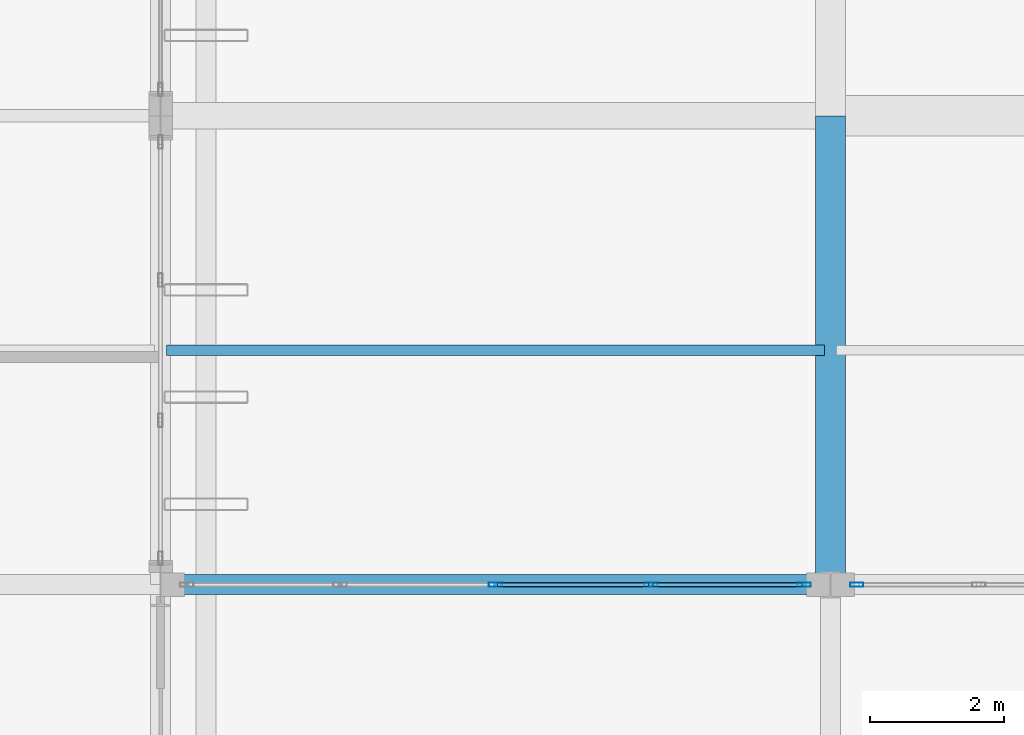
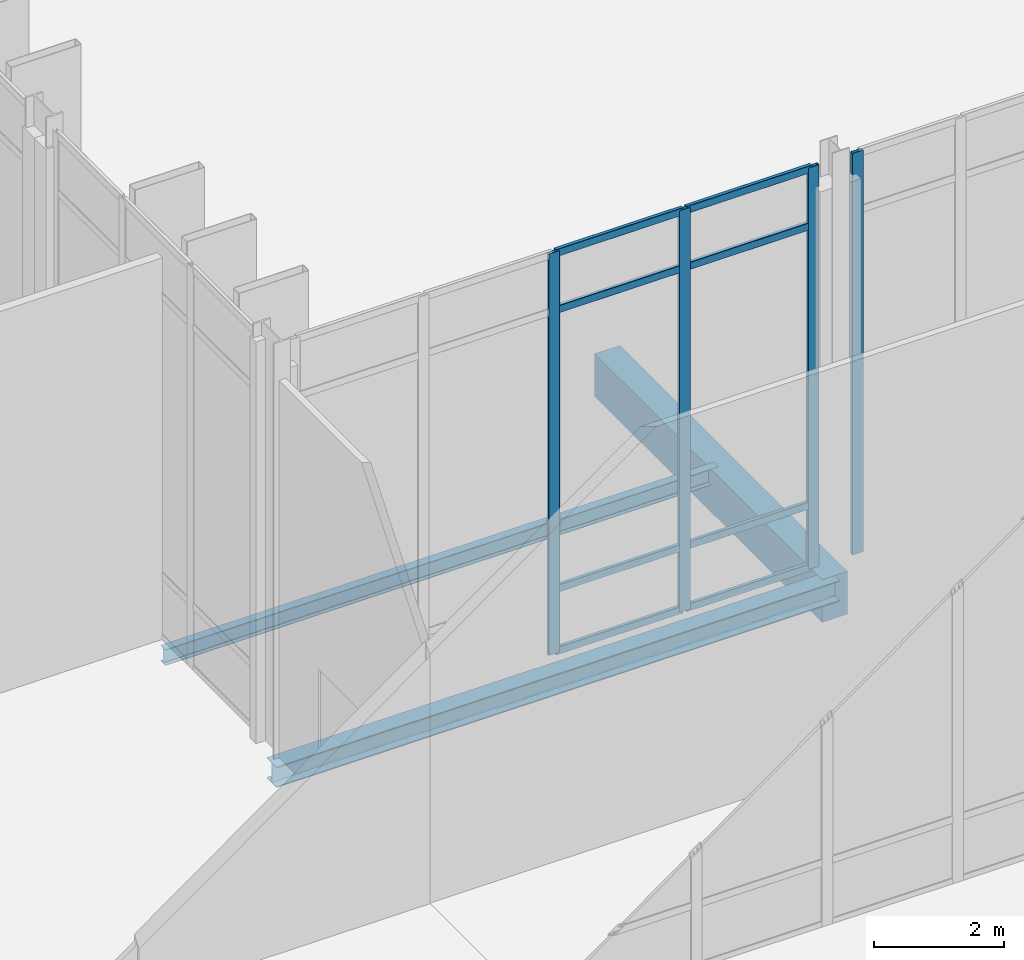
# One storey, part 102 of 176: 12 members, 3 beams, 2 elements without a shape of their own.
"""IFC4 building model written with IfcOpenShell, lengths in metres."""

from ifc_helpers import new_model, si_unit, direction, frame, origin, origin_2d, place, context, subcontext, project, spatial, rectangle, hollow_rectangle, i_section, extrude, material, layer, layer_set, material_profile, profile_set, type_object, element, aggregate, save


model = new_model("IFC4")

# Units and contexts
model_context = context("Model", 3, precision=1e-05, world=origin(), true_north=direction((0.0, 1.0)))
body_context = subcontext(model_context, "Body", "Model", "MODEL_VIEW")
ifc_project = project(units=[si_unit("LENGTHUNIT", "METRE"), si_unit("AREAUNIT", "SQUARE_METRE"), si_unit("VOLUMEUNIT", "CUBIC_METRE"), si_unit("PLANEANGLEUNIT", "RADIAN"), si_unit("MASSUNIT", "GRAM", prefix="KILO")], contexts=[model_context])

# Site, building, storey
site_placement = place(None, origin())
site = spatial("IfcSite", under=ifc_project, at=site_placement, CompositionType="ELEMENT")
building_placement = place(site_placement, origin())
building = spatial("IfcBuilding", under=site, at=building_placement, Name="Vekula Escarpment Museum", CompositionType="ELEMENT")
storey_placement = place(building_placement, origin())
storey = spatial("IfcBuildingStorey", under=building, at=storey_placement, Name="L01", CompositionType="ELEMENT", Elevation=0.0)

# Beams
ifc_material_1 = material(Name="Steel S355", Category="steel")
ifc_material_profile_1 = material_profile(ifc_material_1, i_section(OverallWidth=0.14990234375, OverallDepth=0.300048828125, WebThickness=0.007080078125, FlangeThickness=0.0107421875, FilletRadius=0.014892578125, at=origin_2d()), Name="IPE 300")
ifc_profile_set_1 = profile_set([ifc_material_profile_1], Name="Steel S355")
beam_type_1 = type_object("IfcBeamType", Name="BM-JST-IPE300", PredefinedType="JOIST", material=ifc_profile_set_1)
beam_1_placement = place(storey_placement, frame((126.090087890625, 79.89990234375, -0.449951171875), z_axis=(1.0, 0.0, 0.0), x_axis=(0.0, 1.0, 0.0)))
element("IfcBeam", 1, at=beam_1_placement, inside=storey, type_object=beam_type_1, Name="Secondary Joist L01 0431", PredefinedType="JOIST", context=body_context, shape_type="SweptSolid", body=[
    extrude(i_section(OverallWidth=0.14990234375, OverallDepth=0.300048828125, WebThickness=0.007080078125, FlangeThickness=0.0107421875, FilletRadius=0.014892578125, at=origin_2d()), origin(), (0.0, 0.0, 1.0), 9.81982421875),
])
ifc_material_2 = material(Name="Concrete C35/45", Category="concrete")
ifc_material_profile_2 = material_profile(ifc_material_2, rectangle(XDim=0.449951171875, YDim=0.800048828125, at=origin_2d()), Name="RC 450x800")
ifc_profile_set_2 = profile_set([ifc_material_profile_2], Name="Concrete C35/45")
beam_type_2 = type_object("IfcBeamType", Name="BM-PLINTH-RC", PredefinedType="BEAM", material=ifc_profile_set_2)
beam_2_placement = place(storey_placement, frame((136.0, 76.39990234375, -0.699951171875), z_axis=(0.0, 1.0, 0.0), x_axis=(-1.0, 0.0, 0.0)))
element("IfcBeam", 2, at=beam_2_placement, inside=storey, type_object=beam_type_2, Name="Beam Y L01 0678", PredefinedType="BEAM", context=body_context, shape_type="SweptSolid", body=[
    extrude(rectangle(XDim=0.449951171875, YDim=0.800048828125, at=origin_2d()), origin(), (0.0, 0.0, 1.0), 7.0),
])
ifc_material_3 = material(Name="Steel S355", Category="steel")
ifc_material_profile_3 = material_profile(ifc_material_3, i_section(OverallWidth=0.300048828125, OverallDepth=0.389892578125, WebThickness=0.010986328125, FlangeThickness=0.01904296875, FilletRadius=0.027099609375, at=origin_2d()), Name="HEA 400")
ifc_profile_set_3 = profile_set([ifc_material_profile_3], Name="Steel S355")
beam_type_3 = type_object("IfcBeamType", Name="BM-SPAN-HEA400", PredefinedType="SPANDREL", material=ifc_profile_set_3)
beam_3_placement = place(storey_placement, frame((126.0, 76.39990234375, -0.4951171875), z_axis=(1.0, 0.0, 0.0), x_axis=(0.0, 1.0, 0.0)))
element("IfcBeam", 3, at=beam_3_placement, inside=storey, type_object=beam_type_3, Name="Beam X L01 0222", PredefinedType="SPANDREL", context=body_context, shape_type="SweptSolid", body=[
    extrude(i_section(OverallWidth=0.300048828125, OverallDepth=0.389892578125, WebThickness=0.010986328125, FlangeThickness=0.01904296875, FilletRadius=0.027099609375, at=origin_2d()), origin(), (0.0, 0.0, 1.0), 10.0),
])

# Curtain wall, member
ifc_material_4 = material(Name="Aluminium thermally broken framing", Category="aluminium")
ifc_layer_1 = layer(ifc_material_4, 0.159912109375)
ifc_layer_set_1 = layer_set([ifc_layer_1], Name="Aluminium thermally broken framing")
curtain_wall_type_1 = type_object("IfcCurtainWallType", Name="CW-SYS-01", PredefinedType="NOTDEFINED", material=ifc_layer_set_1)
curtain_wall_1_placement = place(storey_placement, origin())
curtain_wall_1 = element("IfcCurtainWall", 4, at=curtain_wall_1_placement, inside=storey, type_object=curtain_wall_type_1, Name="Curtain Wall CW-L01-021", PredefinedType="NOTDEFINED")
ifc_material_5 = material(Name="Aluminium anodized mullion", Category="aluminium")
ifc_material_profile_4 = material_profile(ifc_material_5, hollow_rectangle(XDim=0.06494140625, YDim=0.199951171875, WallThickness=0.00390625, InnerFilletRadius=0.00390625, OuterFilletRadius=0.008056640625, at=origin_2d()), Name="ALU 200x65x4")
ifc_profile_set_4 = profile_set([ifc_material_profile_4], Name="Aluminium anodized mullion")
member_type_1 = type_object("IfcMemberType", Name="CW-MUL-200", PredefinedType="MULLION", material=ifc_profile_set_4)
member_1_placement = place(storey_placement, frame((136.392578125, 76.39990234375, 0.0), z_axis=(0.0, 0.0, 1.0), x_axis=(0.0, -1.0, 0.0)))
member_1 = element("IfcMember", 5, at=member_1_placement, type_object=member_type_1, Name="CW-01 mullion 6", PredefinedType="MULLION", context=body_context, shape_type="SweptSolid", body=[
    extrude(hollow_rectangle(XDim=0.06494140625, YDim=0.199951171875, WallThickness=0.00390625, InnerFilletRadius=0.00390625, OuterFilletRadius=0.008056640625, at=origin_2d()), origin(), (0.0, 0.0, 1.0), 7.5400390625),
])
aggregate(curtain_wall_1, [member_1])

# Curtain wall, members
ifc_material_6 = material(Name="Aluminium thermally broken framing", Category="aluminium")
ifc_layer_2 = layer(ifc_material_6, 0.159912109375)
ifc_layer_set_2 = layer_set([ifc_layer_2], Name="Aluminium thermally broken framing")
curtain_wall_type_2 = type_object("IfcCurtainWallType", Name="CW-SYS-02", PredefinedType="NOTDEFINED", material=ifc_layer_set_2)
curtain_wall_2_placement = place(storey_placement, origin())
curtain_wall_2 = element("IfcCurtainWall", 6, at=curtain_wall_2_placement, inside=storey, type_object=curtain_wall_type_2, Name="Curtain Wall CW-L01-022", PredefinedType="NOTDEFINED")
member_2_placement = place(storey_placement, frame((135.607421875, 76.39990234375, 0.0), z_axis=(0.0, 0.0, 1.0), x_axis=(0.0, -1.0, 0.0)))
member_2 = element("IfcMember", 7, at=member_2_placement, type_object=member_type_1, Name="CW-02 mullion 1", PredefinedType="MULLION", context=body_context, shape_type="SweptSolid", body=[
    extrude(hollow_rectangle(XDim=0.06494140625, YDim=0.199951171875, WallThickness=0.00390625, InnerFilletRadius=0.00390625, OuterFilletRadius=0.008056640625, at=origin_2d()), origin(), (0.0, 0.0, 1.0), 7.5400390625),
])
member_3_placement = place(storey_placement, frame((133.320068359375, 76.39990234375, 0.0), z_axis=(0.0, 0.0, 1.0), x_axis=(0.0, -1.0, 0.0)))
member_3 = element("IfcMember", 8, at=member_3_placement, type_object=member_type_1, Name="CW-02 mullion 2", PredefinedType="MULLION", context=body_context, shape_type="SweptSolid", body=[
    extrude(hollow_rectangle(XDim=0.06494140625, YDim=0.199951171875, WallThickness=0.00390625, InnerFilletRadius=0.00390625, OuterFilletRadius=0.008056640625, at=origin_2d()), origin(), (0.0, 0.0, 1.0), 7.5400390625),
])
member_4_placement = place(storey_placement, frame((131.0, 76.39990234375, 0.0), z_axis=(0.0, 0.0, 1.0), x_axis=(0.0, -1.0, 0.0)))
member_4 = element("IfcMember", 9, at=member_4_placement, type_object=member_type_1, Name="CW-02 mullion 3", PredefinedType="MULLION", context=body_context, shape_type="SweptSolid", body=[
    extrude(hollow_rectangle(XDim=0.06494140625, YDim=0.199951171875, WallThickness=0.00390625, InnerFilletRadius=0.00390625, OuterFilletRadius=0.008056640625, at=origin_2d()), origin(), (0.0, 0.0, 1.0), 7.5400390625),
])
ifc_material_7 = material(Name="Aluminium anodized transom", Category="aluminium")
ifc_material_profile_5 = material_profile(ifc_material_7, hollow_rectangle(XDim=0.06494140625, YDim=0.139892578125, WallThickness=0.00390625, InnerFilletRadius=0.00390625, OuterFilletRadius=0.008056640625, at=origin_2d()), Name="ALU 140x65x4")
ifc_profile_set_5 = profile_set([ifc_material_profile_5], Name="Aluminium anodized transom")
member_type_2 = type_object("IfcMemberType", Name="CW-TRN-140", PredefinedType="USERDEFINED", material=ifc_profile_set_5)
member_5_placement = place(storey_placement, frame((135.574951171875, 76.39990234375, 0.032470703125), z_axis=(-1.0, 0.0, 0.0), x_axis=(0.0, -1.0, 0.0)))
member_5 = element("IfcMember", 10, at=member_5_placement, type_object=member_type_2, Name="CW-02 transom 1.1", ObjectType="TRANSOM", PredefinedType="USERDEFINED", context=body_context, shape_type="SweptSolid", body=[
    extrude(hollow_rectangle(XDim=0.06494140625, YDim=0.139892578125, WallThickness=0.00390625, InnerFilletRadius=0.00390625, OuterFilletRadius=0.008056640625, at=origin_2d()), origin(), (0.0, 0.0, 1.0), 2.222412109375),
])
member_6_placement = place(storey_placement, frame((135.574951171875, 76.39990234375, 1.199951171875), z_axis=(-1.0, 0.0, 0.0), x_axis=(0.0, -1.0, 0.0)))
member_6 = element("IfcMember", 11, at=member_6_placement, type_object=member_type_2, Name="CW-02 transom 1.2", ObjectType="TRANSOM", PredefinedType="USERDEFINED", context=body_context, shape_type="SweptSolid", body=[
    extrude(hollow_rectangle(XDim=0.06494140625, YDim=0.139892578125, WallThickness=0.00390625, InnerFilletRadius=0.00390625, OuterFilletRadius=0.008056640625, at=origin_2d()), origin(), (0.0, 0.0, 1.0), 2.222412109375),
])
member_7_placement = place(storey_placement, frame((135.574951171875, 76.39990234375, 6.43994140625), z_axis=(-1.0, 0.0, 0.0), x_axis=(0.0, -1.0, 0.0)))
member_7 = element("IfcMember", 12, at=member_7_placement, type_object=member_type_2, Name="CW-02 transom 1.3", ObjectType="TRANSOM", PredefinedType="USERDEFINED", context=body_context, shape_type="SweptSolid", body=[
    extrude(hollow_rectangle(XDim=0.06494140625, YDim=0.139892578125, WallThickness=0.00390625, InnerFilletRadius=0.00390625, OuterFilletRadius=0.008056640625, at=origin_2d()), origin(), (0.0, 0.0, 1.0), 2.222412109375),
])
member_8_placement = place(storey_placement, frame((135.574951171875, 76.39990234375, 7.507568359375), z_axis=(-1.0, 0.0, 0.0), x_axis=(0.0, -1.0, 0.0)))
member_8 = element("IfcMember", 13, at=member_8_placement, type_object=member_type_2, Name="CW-02 transom 1.4", ObjectType="TRANSOM", PredefinedType="USERDEFINED", context=body_context, shape_type="SweptSolid", body=[
    extrude(hollow_rectangle(XDim=0.06494140625, YDim=0.139892578125, WallThickness=0.00390625, InnerFilletRadius=0.00390625, OuterFilletRadius=0.008056640625, at=origin_2d()), origin(), (0.0, 0.0, 1.0), 2.222412109375),
])
member_9_placement = place(storey_placement, frame((133.28759765625, 76.39990234375, 0.032470703125), z_axis=(-1.0, 0.0, 0.0), x_axis=(0.0, -1.0, 0.0)))
member_9 = element("IfcMember", 14, at=member_9_placement, type_object=member_type_2, Name="CW-02 transom 2.1", ObjectType="TRANSOM", PredefinedType="USERDEFINED", context=body_context, shape_type="SweptSolid", body=[
    extrude(hollow_rectangle(XDim=0.06494140625, YDim=0.139892578125, WallThickness=0.00390625, InnerFilletRadius=0.00390625, OuterFilletRadius=0.008056640625, at=origin_2d()), origin(), (0.0, 0.0, 1.0), 2.255126953125),
])
member_10_placement = place(storey_placement, frame((133.28759765625, 76.39990234375, 1.199951171875), z_axis=(-1.0, 0.0, 0.0), x_axis=(0.0, -1.0, 0.0)))
member_10 = element("IfcMember", 15, at=member_10_placement, type_object=member_type_2, Name="CW-02 transom 2.2", ObjectType="TRANSOM", PredefinedType="USERDEFINED", context=body_context, shape_type="SweptSolid", body=[
    extrude(hollow_rectangle(XDim=0.06494140625, YDim=0.139892578125, WallThickness=0.00390625, InnerFilletRadius=0.00390625, OuterFilletRadius=0.008056640625, at=origin_2d()), origin(), (0.0, 0.0, 1.0), 2.255126953125),
])
member_11_placement = place(storey_placement, frame((133.28759765625, 76.39990234375, 6.43994140625), z_axis=(-1.0, 0.0, 0.0), x_axis=(0.0, -1.0, 0.0)))
member_11 = element("IfcMember", 16, at=member_11_placement, type_object=member_type_2, Name="CW-02 transom 2.3", ObjectType="TRANSOM", PredefinedType="USERDEFINED", context=body_context, shape_type="SweptSolid", body=[
    extrude(hollow_rectangle(XDim=0.06494140625, YDim=0.139892578125, WallThickness=0.00390625, InnerFilletRadius=0.00390625, OuterFilletRadius=0.008056640625, at=origin_2d()), origin(), (0.0, 0.0, 1.0), 2.255126953125),
])
member_12_placement = place(storey_placement, frame((133.28759765625, 76.39990234375, 7.507568359375), z_axis=(-1.0, 0.0, 0.0), x_axis=(0.0, -1.0, 0.0)))
member_12 = element("IfcMember", 17, at=member_12_placement, type_object=member_type_2, Name="CW-02 transom 2.4", ObjectType="TRANSOM", PredefinedType="USERDEFINED", context=body_context, shape_type="SweptSolid", body=[
    extrude(hollow_rectangle(XDim=0.06494140625, YDim=0.139892578125, WallThickness=0.00390625, InnerFilletRadius=0.00390625, OuterFilletRadius=0.008056640625, at=origin_2d()), origin(), (0.0, 0.0, 1.0), 2.255126953125),
])
aggregate(curtain_wall_2, [member_2, member_3, member_4, member_5, member_6, member_7, member_8, member_9, member_10, member_11, member_12])

save(model, "model.ifc")
